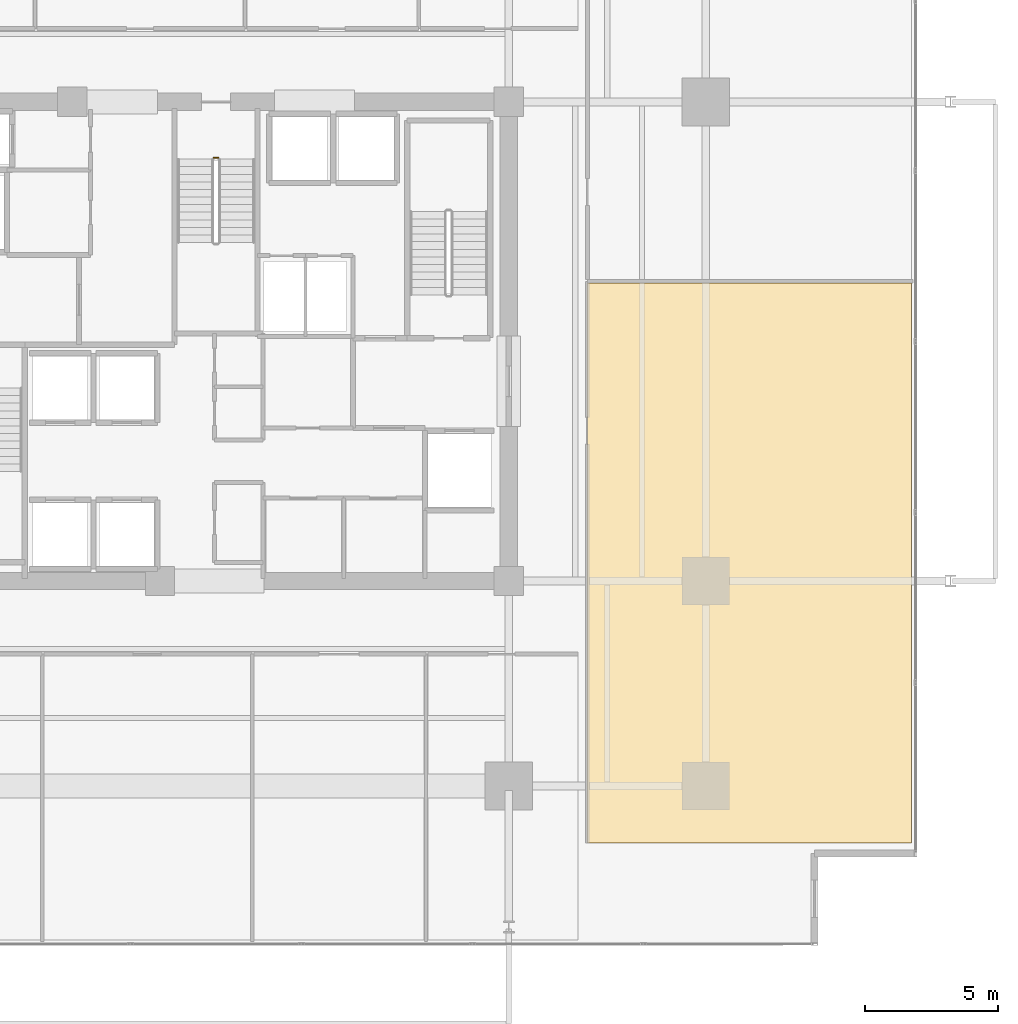
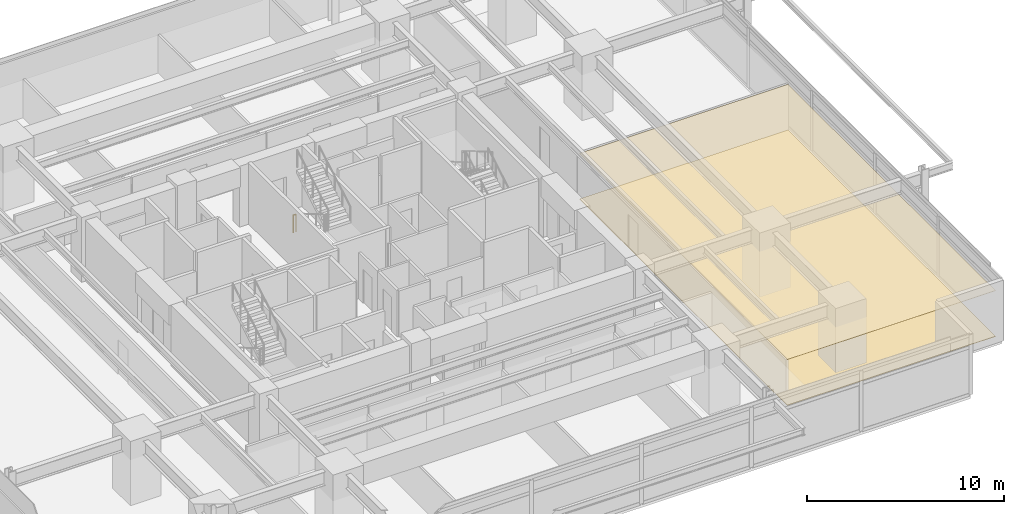
# One storey, part 18 of 19: 2 coverings, 1 railing.
"""IFC4 building model written with IfcOpenShell, lengths in metres."""

from ifc_helpers import new_model, si_unit, direction, frame, origin, origin_2d, place, context, subcontext, project, spatial, polyline, circle, outline, extrude, material, layer, layer_set, type_object, element, save


model = new_model("IFC4")

# Units and contexts
model_context = context("Model", 3, precision=1e-05, world=origin(), true_north=direction((0.0, 1.0)))
body_context = subcontext(model_context, "Body", "Model", "MODEL_VIEW")
ifc_project = project(units=[si_unit("LENGTHUNIT", "METRE"), si_unit("AREAUNIT", "SQUARE_METRE"), si_unit("VOLUMEUNIT", "CUBIC_METRE"), si_unit("PLANEANGLEUNIT", "RADIAN"), si_unit("MASSUNIT", "GRAM", prefix="KILO")], contexts=[model_context])

# Site, building, storey
site_placement = place(None, origin())
site = spatial("IfcSite", under=ifc_project, at=site_placement, CompositionType="ELEMENT")
building_placement = place(site_placement, origin())
building = spatial("IfcBuilding", under=site, at=building_placement, Name="Kovane Verandah Tower", CompositionType="ELEMENT")
storey_placement = place(building_placement, frame((0.0, 0.0, 83.60009765625)))
storey = spatial("IfcBuildingStorey", under=building, at=storey_placement, Name="L19", CompositionType="ELEMENT", Elevation=83.60009765625)

# Coverings
ifc_material_1 = material(Name="Perforated Acoustic Mineral-Fibre Ceiling Tile", Category="gypsum")
ifc_layer_1 = layer(ifc_material_1, 0.02490234375)
ifc_layer_set_1 = layer_set([ifc_layer_1], Name="Perforated Acoustic Mineral-Fibre Ceiling Tile")
covering_type_1 = type_object("IfcCoveringType", Name="CV-CEIL-25", PredefinedType="CEILING", material=ifc_layer_set_1)
covering_1_placement = place(storey_placement, frame((0.0, 0.0, 2.824951171875)))
element("IfcCovering", 1, at=covering_1_placement, inside=storey, type_object=covering_type_1, Name="L19 Breakout Pantry E1 Acoustic Ceiling", PredefinedType="CEILING", context=body_context, shape_type="SweptSolid", body=[
    extrude(outline(polyline([(53.949951171875, 8.660888671875), (66.134521484375, 8.660888671875), (66.134521484375, 29.690673828125), (53.949951171875, 29.690673828125), (53.949951171875, 8.660888671875)])), origin(), (0.0, 0.0, 1.0), 0.02490234375),
])
ifc_material_2 = material(Name="Polished Terrazzo and Raised-Access Carpet Tile Finish", Category="concrete")
ifc_layer_2 = layer(ifc_material_2, 0.030029296875)
ifc_layer_set_2 = layer_set([ifc_layer_2], Name="Polished Terrazzo and Raised-Access Carpet Tile Finish")
covering_type_2 = type_object("IfcCoveringType", Name="CV-FLOR-30", PredefinedType="FLOORING", material=ifc_layer_set_2)
covering_2_placement = place(storey_placement, origin())
element("IfcCovering", 2, at=covering_2_placement, inside=storey, type_object=covering_type_2, Name="L19 Breakout Pantry E1 Floor Finish", PredefinedType="FLOORING", context=body_context, shape_type="SweptSolid", body=[
    extrude(outline(polyline([(53.949951171875, 8.660888671875), (66.134521484375, 8.660888671875), (66.134521484375, 29.690673828125), (53.949951171875, 29.690673828125), (53.949951171875, 8.660888671875)])), origin(), (0.0, 0.0, 1.0), 0.02978515625),
])

# Railing
ifc_material_3 = material(Name="Painted Steel Stairwell Guardrail", Category="steel")
railing_type = type_object("IfcRailingType", Name="RL-STGUARD-1120", PredefinedType="GUARDRAIL", material=ifc_material_3)
railing_placement = place(storey_placement, frame((39.919921875, 34.39990234375, 0.0)))
element("IfcRailing", 3, at=railing_placement, inside=storey, type_object=railing_type, Name="L19 ST-03 stair guard 4", PredefinedType="GUARDRAIL", context=body_context, shape_type="SweptSolid", body=[
    extrude(circle(Radius=0.02392578125, at=origin_2d()), frame((0.0, 0.0, 1.076171875), z_axis=(1.0, 0.0, 0.0), x_axis=(0.0, 1.0, 0.0)), (0.0, 0.0, 1.0), 0.16015625),
    extrude(circle(Radius=0.02099609375, at=origin_2d()), origin(), (0.0, 0.0, 1.0), 1.052001953125),
    extrude(circle(Radius=0.02099609375, at=origin_2d()), frame((0.16015625, 0.0, 0.0)), (0.0, 0.0, 1.0), 1.052001953125),
])

save(model, "model.ifc")
